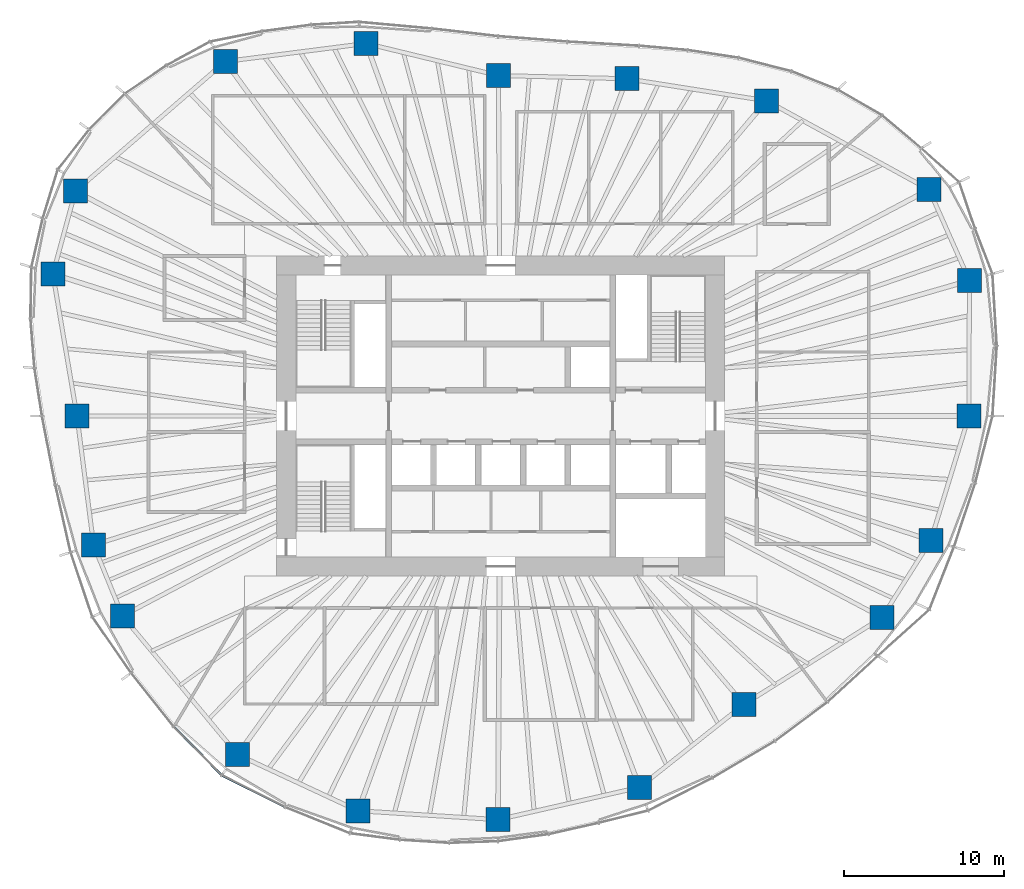
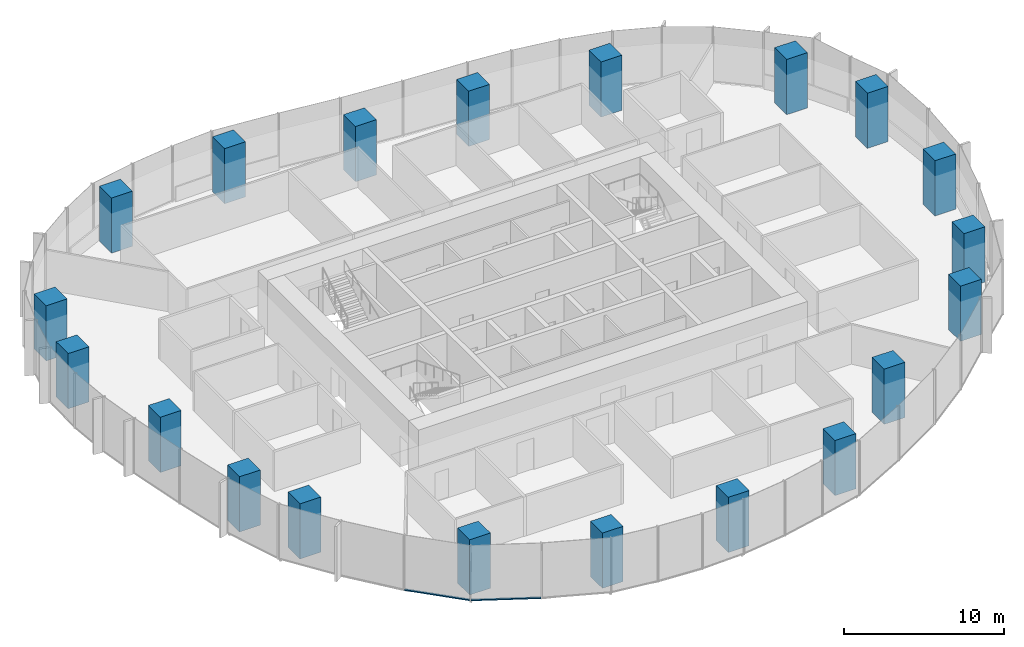
# One storey, part 1 of 18: 20 columns, 2 members, 2 elements without a shape of their own.
"""IFC4 building model written with IfcOpenShell, lengths in metres."""

from ifc_helpers import new_model, si_unit, direction, frame, origin, origin_2d, place, context, subcontext, project, spatial, rectangle, extrude, material, material_profile, profile_set, type_object, element, aggregate, save


model = new_model("IFC4")

# Units and contexts
model_context = context("Model", 3, precision=1e-05, world=origin(), true_north=direction((0.0, 1.0)))
body_context = subcontext(model_context, "Body", "Model", "MODEL_VIEW")
ifc_project = project(units=[si_unit("LENGTHUNIT", "METRE"), si_unit("AREAUNIT", "SQUARE_METRE"), si_unit("VOLUMEUNIT", "CUBIC_METRE"), si_unit("PLANEANGLEUNIT", "RADIAN"), si_unit("MASSUNIT", "GRAM", prefix="KILO")], contexts=[model_context])

# Site, building, storey
site_placement = place(None, origin())
site = spatial("IfcSite", under=ifc_project, at=site_placement, CompositionType="ELEMENT")
building_placement = place(site_placement, origin())
building = spatial("IfcBuilding", under=site, at=building_placement, Name="Ghaith Harvest Tower", CompositionType="ELEMENT")
storey_placement = place(building_placement, frame((0.0, 0.0, 121.800048828125)))
storey = spatial("IfcBuildingStorey", under=building, at=storey_placement, Name="L25", CompositionType="ELEMENT", Elevation=121.800048828125)

# Columns
ifc_material_1 = material(Name="Concrete C60/75", Category="concrete")
ifc_material_profile_1 = material_profile(ifc_material_1, rectangle(XDim=1.5, YDim=1.5, at=origin_2d()), Name="RC1500X1500")
ifc_profile_set_1 = profile_set([ifc_material_profile_1], Name="Concrete C60/75")
column_type = type_object("IfcColumnType", Name="TC3 RC1500X1500", PredefinedType="COLUMN", material=ifc_profile_set_1)
for number, where, z_axis, x_axis, name in (
    (1, (29.259033203125, 0.0, 0.0), (0.0, 0.0, 1.0), (1.0, 0.0, 0.0), "Perimeter column C01"),
    (2, (29.285888671875, 8.464111328125, 0.0), (0.0, 0.0, 1.0), (1.0, 0.0, 0.0), "Perimeter column C02"),
    (3, (26.763916015625, 14.14697265625, 0.0), (0.0, 0.0, 1.0), (1.0, 0.0, 0.0), "Perimeter column C03"),
    (4, (16.60791015625, 19.695068359375, 0.0), (0.0, 0.0, 1.0), (1.0, 0.0, 0.0), "Perimeter column C04"),
    (5, (7.8779296875, 21.072021484375, 0.0), (0.0, 0.0, 1.0), (1.0, 0.0, 0.0), "Perimeter column C05"),
    (6, (-0.14599609375, 21.27099609375, 0.0), (0.0, 0.0, 1.0), (1.0, 0.0, 0.0), "Perimeter column C06"),
    (7, (-8.406982421875, 23.27587890625, 0.0), (0.0, 0.0, 1.0), (1.0, 0.0, 0.0), "Perimeter column C07"),
    (8, (-17.201904296875, 22.14990234375, 0.0), (0.0, 0.0, 1.0), (1.0, 0.0, 0.0), "Perimeter column C08"),
    (9, (-26.572998046875, 14.0458984375, 0.0), (0.0, 0.0, 1.0), (1.0, 0.0, 0.0), "Perimeter column C09"),
    (10, (-27.98291015625, 8.867919921875, 0.0), (0.0, 0.0, 1.0), (1.0, 0.0, 0.0), "Perimeter column C10"),
    (11, (-26.47509765625, 0.0, 0.0), (0.0, 0.0, 1.0), (1.0, 0.0, 0.0), "Perimeter column C11"),
    (12, (-25.43603515625, -8.06103515625, 0.0), (0.0, 0.0, 1.0), (1.0, 0.0, 0.0), "Perimeter column C12"),
    (13, (-23.635009765625, -12.492919921875, 0.0), (0.0, 0.0, 1.0), (1.0, 0.0, 0.0), "Perimeter column C13"),
    (14, (-16.43701171875, -21.1640625, 0.0), (0.0, 0.0, 1.0), (1.0, 0.0, 0.0), "Perimeter column C14"),
    (15, (-8.908935546875, -24.66796875, 0.0), (0.0, 0.0, 1.0), (1.0, 0.0, 0.0), "Perimeter column C15"),
    (16, (-0.173095703125, -25.22412109375, 0.0), (0.0, 0.0, 1.0), (1.0, 0.0, 0.0), "Perimeter column C16"),
    (17, (8.674072265625, -23.202880859375, 0.0), (0.0, 0.0, 1.0), (1.0, 0.0, 0.0), "Perimeter column C17"),
    (18, (15.197998046875, -18.02294921875, 0.0), (0.0, 0.0, 1.0), (1.0, 0.0, 0.0), "Perimeter column C18"),
    (19, (23.825927734375, -12.593994140625, 0.0), (0.0, 0.0, 1.0), (1.0, 0.0, 0.0), "Perimeter column C19"),
    (20, (26.8779296875, -7.76806640625, 0.0), (0.0, 0.0, 1.0), (1.0, 0.0, 0.0), "Perimeter column C20"),
):
    element("IfcColumn", number, at=place(storey_placement, frame(where, z_axis=z_axis, x_axis=x_axis)), inside=storey, type_object=column_type, Name=name, PredefinedType="COLUMN", context=body_context, shape_type="SweptSolid", body=[
        extrude(rectangle(XDim=1.5, YDim=1.5, at=origin_2d()), origin(), (0.0, 0.0, 1.0), 4.199951171875),
    ])

# Curtain wall, member
ifc_material_2 = material(Name="Black anodised aluminium and fritted glass", Category="aluminium")
curtain_wall_type = type_object("IfcCurtainWallType", Name="CW-L CURTAIN WALL", PredefinedType="NOTDEFINED", material=ifc_material_2)
curtain_wall_1_placement = place(storey_placement, origin())
curtain_wall_1 = element("IfcCurtainWall", 21, at=curtain_wall_1_placement, inside=storey, type_object=curtain_wall_type, Name="Curtain wall CW-L bay 13 L25", PredefinedType="NOTDEFINED")
ifc_material_3 = material(Name="Aluminium, black anodised", Category="aluminium")
ifc_material_profile_2 = material_profile(ifc_material_3, rectangle(XDim=0.14990234375, YDim=0.080078125, at=origin_2d()), Name="CW-L TRANSOM 150x80")
ifc_profile_set_2 = profile_set([ifc_material_profile_2], Name="Aluminium, black anodised")
member_type = type_object("IfcMemberType", Name="CW-L TRANSOM 150x80", PredefinedType="USERDEFINED", material=ifc_profile_set_2)
member_1_placement = place(storey_placement, frame((-20.4130859375, -19.425048828125, 0.0400390625), z_axis=(0.702854410476, -0.711333731574, 0.0), x_axis=(0.711333731574, 0.702854410476, 0.0)))
member_1 = element("IfcMember", 22, at=member_1_placement, type_object=member_type, Name="CW-L transom 2 bay 13 L25", ObjectType="TRANSOM", PredefinedType="USERDEFINED", context=body_context, shape_type="SweptSolid", body=[
    extrude(rectangle(XDim=0.14990234375, YDim=0.080078125, at=origin_2d()), origin(), (0.0, 0.0, 1.0), 4.20361328125),
])
aggregate(curtain_wall_1, [member_1])

curtain_wall_2_placement = place(storey_placement, origin())
curtain_wall_2 = element("IfcCurtainWall", 23, at=curtain_wall_2_placement, inside=storey, type_object=curtain_wall_type, Name="Curtain wall CW-L bay 14 L25", PredefinedType="NOTDEFINED")
member_2_placement = place(storey_placement, frame((-17.394775390625, -22.461669921875, 0.0400390625), z_axis=(0.893057524502, -0.449942505138, 0.0), x_axis=(0.449942505138, 0.893057524502, 0.0)))
member_2 = element("IfcMember", 24, at=member_2_placement, type_object=member_type, Name="CW-L transom 1 bay 14 L25", ObjectType="TRANSOM", PredefinedType="USERDEFINED", context=body_context, shape_type="SweptSolid", body=[
    extrude(rectangle(XDim=0.14990234375, YDim=0.080078125, at=origin_2d()), origin(), (0.0, 0.0, 1.0), 4.362548828125),
])
aggregate(curtain_wall_2, [member_2])

save(model, "model.ifc")
